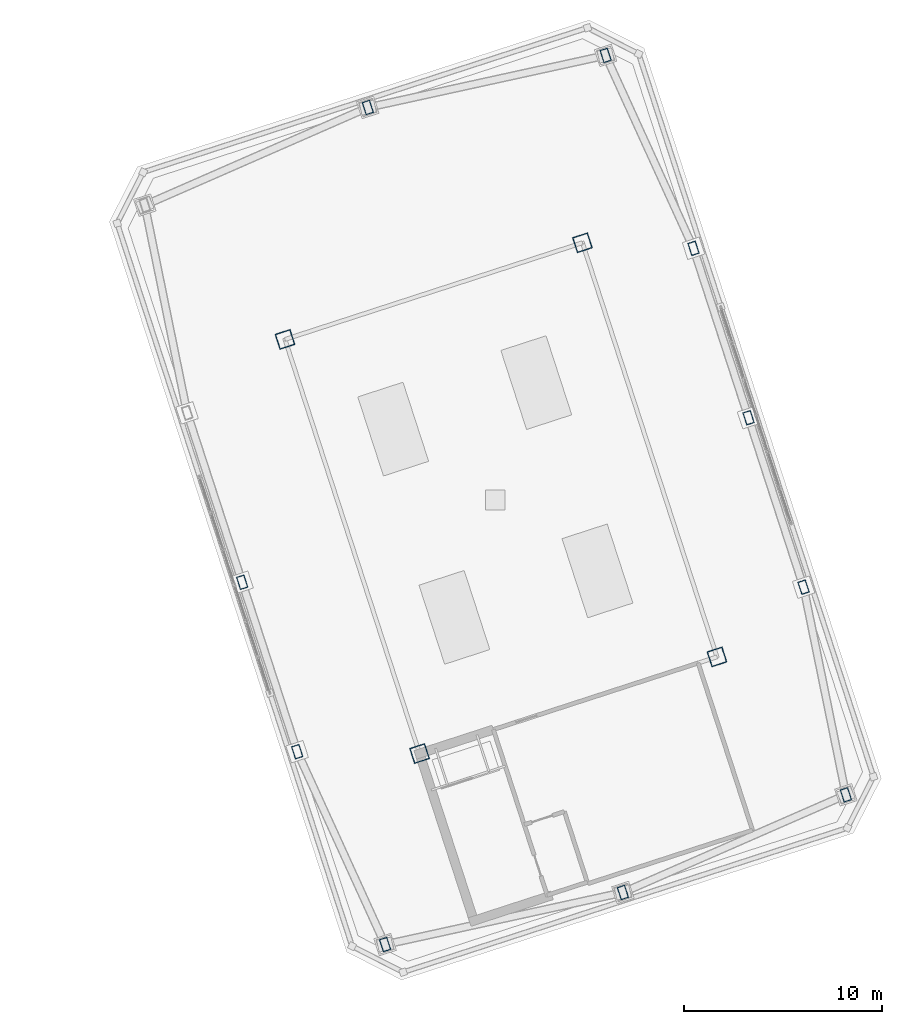
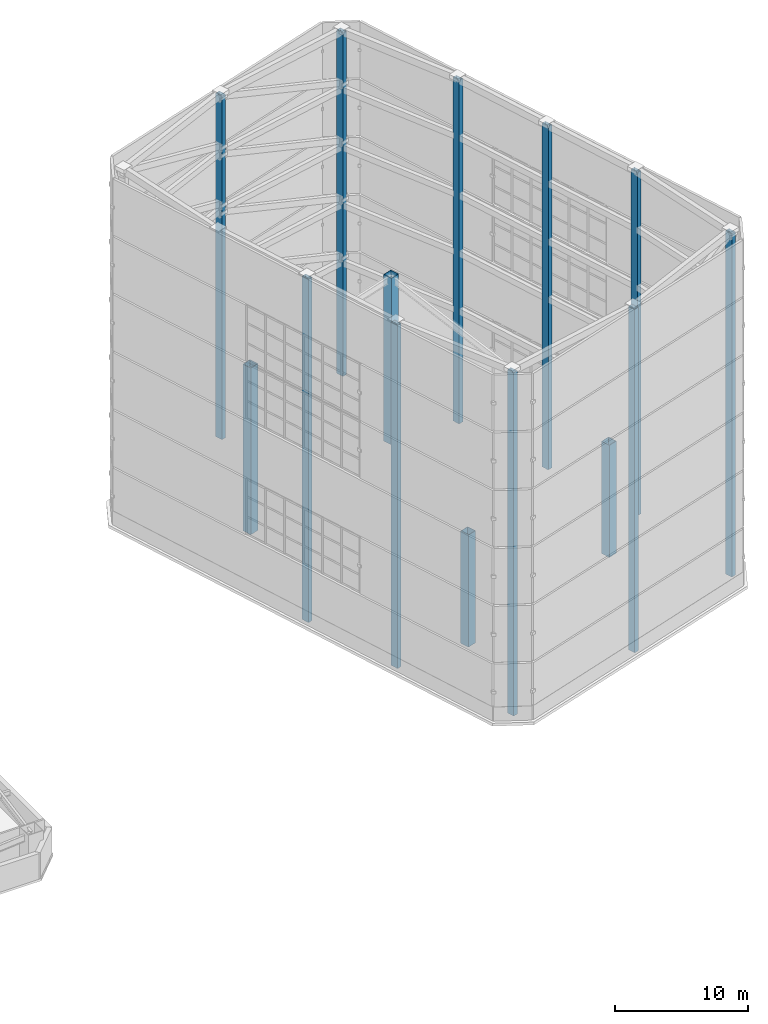
# One storey, part 3 of 56: 14 columns.
"""IFC4 building model written with IfcOpenShell, lengths in metres."""

from ifc_helpers import new_model, si_unit, direction, frame, origin, origin_2d, place, context, subcontext, project, spatial, hollow_rectangle, extrude, material, material_profile, profile_set, type_object, element, save


model = new_model("IFC4")

# Units and contexts
model_context = context("Model", 3, precision=1e-05, world=origin(), true_north=direction((0.0, 1.0)))
body_context = subcontext(model_context, "Body", "Model", "MODEL_VIEW")
ifc_project = project(units=[si_unit("LENGTHUNIT", "METRE"), si_unit("AREAUNIT", "SQUARE_METRE"), si_unit("VOLUMEUNIT", "CUBIC_METRE"), si_unit("PLANEANGLEUNIT", "RADIAN"), si_unit("MASSUNIT", "GRAM", prefix="KILO")], contexts=[model_context])

# Site, building, storey
site_placement = place(None, origin())
site = spatial("IfcSite", under=ifc_project, at=site_placement, CompositionType="ELEMENT")
building_placement = place(site_placement, origin())
building = spatial("IfcBuilding", under=site, at=building_placement, Name="Qiaolan Cultural Towers", CompositionType="ELEMENT")
storey_placement = place(building_placement, frame((0.0, 0.0, 250.39990234375)))
storey = spatial("IfcBuildingStorey", under=building, at=storey_placement, Name="L68", CompositionType="ELEMENT", Elevation=250.39990234375)

# Columns
ifc_material_1 = material(Name="Steel Q355B", Category="steel")
ifc_material_profile_1 = material_profile(ifc_material_1, hollow_rectangle(XDim=0.800048828125, YDim=0.800048828125, WallThickness=0.028076171875, at=origin_2d()), Name="BOX800x800x28")
ifc_profile_set_1 = profile_set([ifc_material_profile_1], Name="Steel Q355B")
column_type_1 = type_object("IfcColumnType", Name="COL-BOX800x800x28", PredefinedType="COLUMN", material=ifc_profile_set_1)
for number, where, z_axis, x_axis, name in (
    (1, (86.171142578125, 21.18994140625, 0.0), (0.0, 0.0, 1.0), (0.951056516295, 0.309016994375, 0.0), "T2 Rooftop Plant Enclosure Column 1"),
    (2, (101.19775390625, 26.072265625, 0.0), (0.0, 0.0, 1.0), (0.951056516295, 0.309016994375, 0.0), "T2 Rooftop Plant Enclosure Column 2"),
):
    element("IfcColumn", number, at=place(storey_placement, frame(where, z_axis=z_axis, x_axis=x_axis)), inside=storey, type_object=column_type_1, Name=name, PredefinedType="COLUMN", context=body_context, shape_type="SweptSolid", body=[
        extrude(hollow_rectangle(XDim=0.800048828125, YDim=0.800048828125, WallThickness=0.028076171875, at=origin_2d()), origin(), (0.0, 0.0, 1.0), 10.280029296875),
    ])
for number, where, z_axis, x_axis, name in (
    (3, (94.3994140625, 46.99560546875, 0.0), (0.0, 0.0, 1.0), (0.951056516295, 0.309016994375, 0.0), "T2 Rooftop Plant Enclosure Column 3"),
    (4, (79.372802734375, 42.113037109375, 0.0), (0.0, 0.0, 1.0), (0.951056516295, 0.309016994375, 0.0), "T2 Rooftop Plant Enclosure Column 4"),
):
    element("IfcColumn", number, at=place(storey_placement, frame(where, z_axis=z_axis, x_axis=x_axis)), inside=storey, type_object=column_type_1, Name=name, PredefinedType="COLUMN", context=body_context, shape_type="SweptSolid", body=[
        extrude(hollow_rectangle(XDim=0.800048828125, YDim=0.800048828125, WallThickness=0.028076171875, at=origin_2d()), origin(), (0.0, 0.0, 1.0), 15.280029296875),
    ])
ifc_material_2 = material(Name="Steel Q355B", Category="steel")
ifc_material_profile_2 = material_profile(ifc_material_2, hollow_rectangle(XDim=0.39990234375, YDim=0.64990234375, WallThickness=0.02001953125, at=origin_2d()), Name="BOX650x400x20")
ifc_profile_set_2 = profile_set([ifc_material_profile_2], Name="Steel Q355B")
column_type_2 = type_object("IfcColumnType", Name="COL-CROWN-FRAME-11", PredefinedType="COLUMN", material=ifc_profile_set_2)
for number, where, z_axis, x_axis, name in (
    (5, (79.989501953125, 21.2841796875, 0.0), (0.0, 0.0, 1.0), (0.951056516295, 0.309016994375, 0.0), "T2 Crown Frame Post 01 (CROWN FRAME)"),
    (6, (84.42822265625, 11.538818359375, 0.0), (0.0, 0.0, 1.0), (0.951056516295, 0.309016994375, 0.0), "T2 Crown Frame Post 02 (CROWN FRAME)"),
    (7, (96.443115234375, 14.17041015625, 0.0), (0.0, 0.0, 1.0), (0.951056516295, 0.309016994375, 0.0), "T2 Crown Frame Post 03 (CROWN FRAME)"),
    (8, (107.7099609375, 19.103515625, 0.0), (0.0, 0.0, 1.0), (0.951056516295, 0.309016994375, 0.0), "T2 Crown Frame Post 04 (CROWN FRAME)"),
    (9, (105.57275390625, 29.5966796875, 0.0), (0.0, 0.0, 1.0), (0.951056516295, 0.309016994375, 0.0), "T2 Crown Frame Post 05 (CROWN FRAME)"),
    (10, (102.791748046875, 38.15625, 0.0), (0.0, 0.0, 1.0), (0.951056516295, 0.309016994375, 0.0), "T2 Crown Frame Post 06 (CROWN FRAME)"),
    (11, (100.010498046875, 46.7158203125, 0.0), (0.0, 0.0, 1.0), (0.951056516295, 0.309016994375, 0.0), "T2 Crown Frame Post 07 (CROWN FRAME)"),
    (12, (95.57177734375, 56.461181640625, 0.0), (0.0, 0.0, 1.0), (0.951056516295, 0.309016994375, 0.0), "T2 Crown Frame Post 08 (CROWN FRAME)"),
    (13, (83.556884765625, 53.82958984375, 0.0), (0.0, 0.0, 1.0), (0.951056516295, 0.309016994375, 0.0), "T2 Crown Frame Post 09 (CROWN FRAME)"),
    (14, (77.208251953125, 29.84375, 0.0), (0.0, 0.0, 1.0), (0.951056516295, 0.309016994375, 0.0), "T2 Crown Frame Post 12 (CROWN FRAME)"),
):
    element("IfcColumn", number, at=place(storey_placement, frame(where, z_axis=z_axis, x_axis=x_axis)), inside=storey, type_object=column_type_2, Name=name, PredefinedType="COLUMN", context=body_context, shape_type="SweptSolid", body=[
        extrude(hollow_rectangle(XDim=0.39990234375, YDim=0.64990234375, WallThickness=0.02001953125, at=origin_2d()), origin(), (0.0, 0.0, 1.0), 31.47509765625),
    ])

save(model, "model.ifc")
